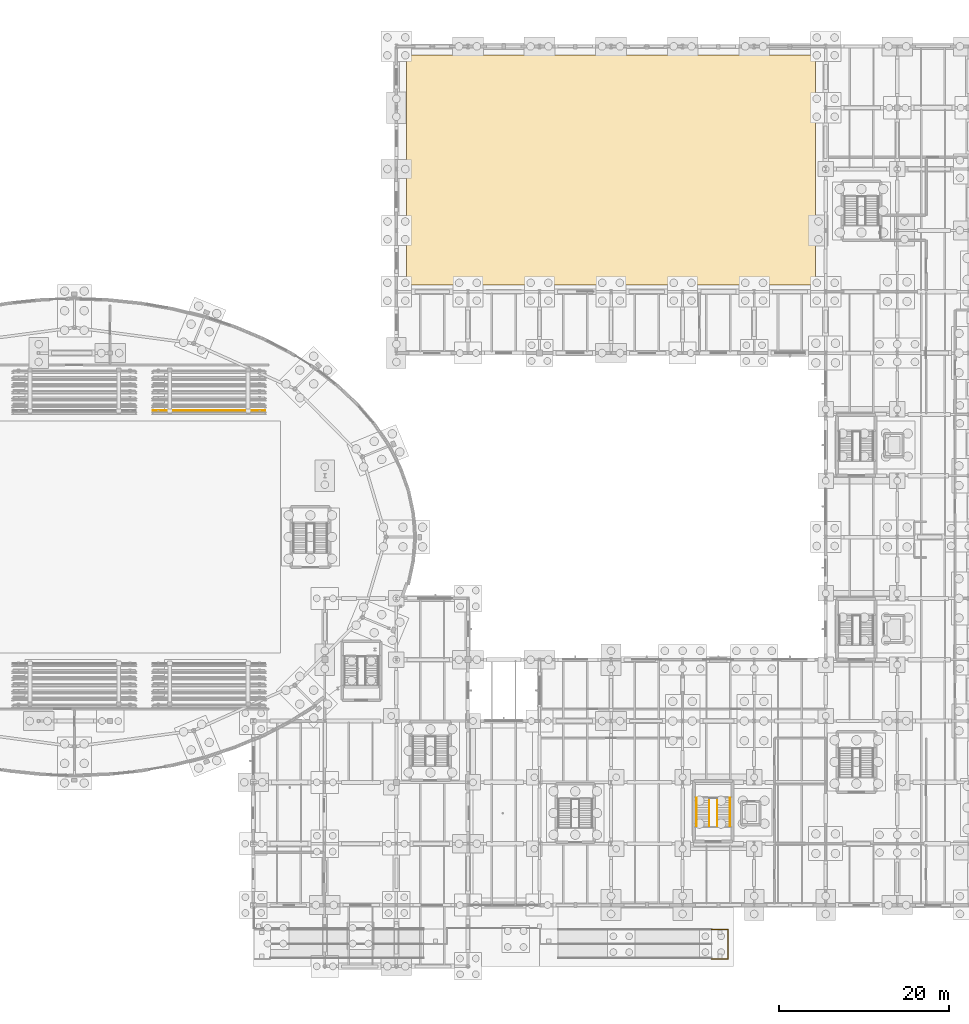
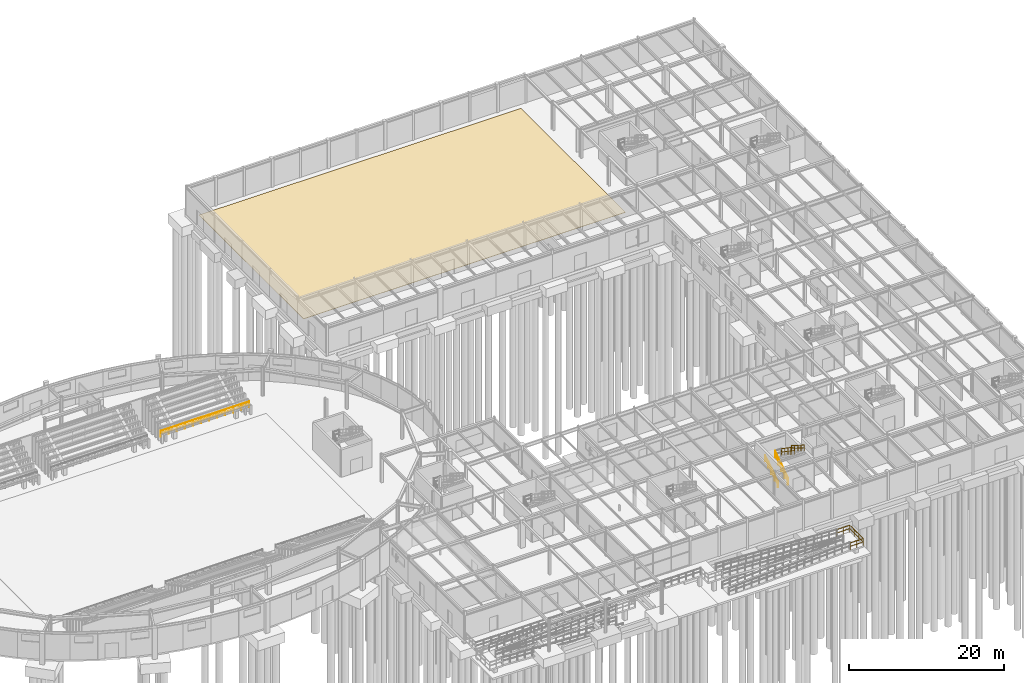
# One storey, part 86 of 93: 6 railings, 1 covering.
"""IFC4 building model written with IfcOpenShell, lengths in metres."""

from ifc_helpers import new_model, si_unit, derived_unit, direction, frame, origin, origin_2d, place, context, subcontext, project, spatial, polyline, circle, outline, extrude, material, layer, layer_set, type_object, element, save


model = new_model("IFC4")

# Units and contexts
model_context = context("Model", 3, precision=1e-05, world=origin(), true_north=direction((0.0, 1.0)))
body_context = subcontext(model_context, "Body", "Model", "MODEL_VIEW")
ifc_project = project(units=[si_unit("LENGTHUNIT", "METRE"), si_unit("AREAUNIT", "SQUARE_METRE"), si_unit("VOLUMEUNIT", "CUBIC_METRE"), si_unit("PLANEANGLEUNIT", "RADIAN"), si_unit("MASSUNIT", "GRAM", prefix="KILO"), derived_unit("THERMALTRANSMITTANCEUNIT", [(si_unit("MASSUNIT", "GRAM", prefix="KILO"), 1), (si_unit("TIMEUNIT", "SECOND"), -3), (si_unit("THERMODYNAMICTEMPERATUREUNIT", "KELVIN"), -1)])], contexts=[model_context])

# Site, building, storey
site_placement = place(None, origin())
site = spatial("IfcSite", under=ifc_project, at=site_placement, CompositionType="ELEMENT")
building_placement = place(site_placement, origin())
building = spatial("IfcBuilding", under=site, at=building_placement, Name="Kharveza Railside Sports Centre", CompositionType="ELEMENT")
storey_placement = place(building_placement, origin())
storey = spatial("IfcBuildingStorey", under=building, at=storey_placement, Name="L00", CompositionType="ELEMENT", Elevation=0.0)

# Covering
ifc_material_1 = material(Name="Sprung maple sports flooring")
ifc_layer = layer(ifc_material_1, 0.044921875, Name="Sprung maple sports flooring")
ifc_layer_set = layer_set([ifc_layer], Name="Sprung maple sports flooring")
covering_type = type_object("IfcCoveringType", Name="CV-FL01", PredefinedType="FLOORING", material=ifc_layer_set)
covering_placement = place(storey_placement, origin())
element("IfcCovering", 1, at=covering_placement, inside=storey, type_object=covering_type, Name="COV-FL-COURT2", PredefinedType="FLOORING", context=body_context, shape_type="SweptSolid", body=[
    extrude(outline(polyline([(93.60009765625, 107.0), (141.60009765625, 107.0), (141.60009765625, 80.0), (93.60009765625, 80.0), (93.60009765625, 107.0)])), origin(), (0.0, 0.0, 1.0), 0.044921875),
])

# Railings
ifc_material_2 = material(Name="Steel S275JR", Category="steel")
railing_type_1 = type_object("IfcRailingType", Name="RL-GD090", PredefinedType="GUARDRAIL", material=ifc_material_2)
railing_1_placement = place(storey_placement, frame((63.800048828125, 65.25, 0.89990234375)))
element("IfcRailing", 2, at=railing_1_placement, inside=storey, type_object=railing_type_1, Name="RL-BOWL-FN-3", PredefinedType="GUARDRAIL", context=body_context, shape_type="SweptSolid", body=[
    extrude(circle(Radius=0.02392578125, at=origin_2d()), frame((0.0, 0.0, 0.8759765625), z_axis=(1.0, 0.0, 0.0), x_axis=(0.0, 1.0, 0.0)), (0.0, 0.0, 1.0), 13.199951171875),
    extrude(circle(Radius=0.01611328125, at=origin_2d()), frame((0.0, 0.0, 0.449951171875), z_axis=(1.0, 0.0, 0.0), x_axis=(0.0, 1.0, 0.0)), (0.0, 0.0, 1.0), 13.199951171875),
    extrude(circle(Radius=0.02099609375, at=origin_2d()), origin(), (0.0, 0.0, 1.0), 0.851806640625),
    extrude(circle(Radius=0.02099609375, at=origin_2d()), frame((1.199951171875, 0.0, 0.0)), (0.0, 0.0, 1.0), 0.851806640625),
    extrude(circle(Radius=0.02099609375, at=origin_2d()), frame((2.39990234375, 0.0, 0.0)), (0.0, 0.0, 1.0), 0.851806640625),
    extrude(circle(Radius=0.02099609375, at=origin_2d()), frame((3.60009765625, 0.0, 0.0)), (0.0, 0.0, 1.0), 0.851806640625),
    extrude(circle(Radius=0.02099609375, at=origin_2d()), frame((4.800048828125, 0.0, 0.0)), (0.0, 0.0, 1.0), 0.851806640625),
    extrude(circle(Radius=0.02099609375, at=origin_2d()), frame((6.0, 0.0, 0.0)), (0.0, 0.0, 1.0), 0.851806640625),
    extrude(circle(Radius=0.02099609375, at=origin_2d()), frame((7.199951171875, 0.0, 0.0)), (0.0, 0.0, 1.0), 0.851806640625),
    extrude(circle(Radius=0.02099609375, at=origin_2d()), frame((8.39990234375, 0.0, 0.0)), (0.0, 0.0, 1.0), 0.851806640625),
    extrude(circle(Radius=0.02099609375, at=origin_2d()), frame((9.599853515625, 0.0, 0.0)), (0.0, 0.0, 1.0), 0.851806640625),
    extrude(circle(Radius=0.02099609375, at=origin_2d()), frame((10.800048828125, 0.0, 0.0)), (0.0, 0.0, 1.0), 0.851806640625),
    extrude(circle(Radius=0.02099609375, at=origin_2d()), frame((12.0, 0.0, 0.0)), (0.0, 0.0, 1.0), 0.851806640625),
    extrude(circle(Radius=0.02099609375, at=origin_2d()), frame((13.199951171875, 0.0, 0.0)), (0.0, 0.0, 1.0), 0.851806640625),
])
railing_type_2 = type_object("IfcRailingType", Name="RL-GD110", PredefinedType="GUARDRAIL", material=ifc_material_2)
railing_2_placement = place(storey_placement, frame((129.39990234375, 0.860107421875, -0.89990234375)))
element("IfcRailing", 3, at=railing_2_placement, inside=storey, type_object=railing_type_2, Name="RL-RMP-EXT-E-LND1", PredefinedType="GUARDRAIL", context=body_context, shape_type="SweptSolid", body=[
    extrude(circle(Radius=0.02392578125, at=origin_2d()), frame((0.0, 0.0, 1.09619140625), z_axis=(1.0, 0.0, 0.0), x_axis=(0.0, 1.0, 0.0)), (0.0, 0.0, 1.0), 1.940185546875),
    extrude(circle(Radius=0.01611328125, at=origin_2d()), frame((0.0, 0.0, 0.56005859375), z_axis=(1.0, 0.0, 0.0), x_axis=(0.0, 1.0, 0.0)), (0.0, 0.0, 1.0), 1.940185546875),
    extrude(circle(Radius=0.02392578125, at=origin_2d()), frame((1.940185546875, 0.0, 1.09619140625), z_axis=(0.0, 1.0, 0.0), x_axis=(-1.0, 0.0, 0.0)), (0.0, 0.0, 1.0), 3.47998046875),
    extrude(circle(Radius=0.01611328125, at=origin_2d()), frame((1.940185546875, 0.0, 0.56005859375), z_axis=(0.0, 1.0, 0.0), x_axis=(-1.0, 0.0, 0.0)), (0.0, 0.0, 1.0), 3.47998046875),
    extrude(circle(Radius=0.02392578125, at=origin_2d()), frame((1.940185546875, 3.47998046875, 1.09619140625), z_axis=(-1.0, 0.0, 0.0), x_axis=(0.0, -1.0, 0.0)), (0.0, 0.0, 1.0), 1.940185546875),
    extrude(circle(Radius=0.01611328125, at=origin_2d()), frame((1.940185546875, 3.47998046875, 0.56005859375), z_axis=(-1.0, 0.0, 0.0), x_axis=(0.0, -1.0, 0.0)), (0.0, 0.0, 1.0), 1.940185546875),
    extrude(circle(Radius=0.02099609375, at=origin_2d()), origin(), (0.0, 0.0, 1.0), 1.072021484375),
    extrude(circle(Radius=0.02099609375, at=origin_2d()), frame((0.97021484375, 0.0, 0.0)), (0.0, 0.0, 1.0), 1.072021484375),
    extrude(circle(Radius=0.02099609375, at=origin_2d()), frame((1.940185546875, 0.0, 0.0)), (0.0, 0.0, 1.0), 1.072021484375),
    extrude(circle(Radius=0.02099609375, at=origin_2d()), frame((1.940185546875, 1.159912109375, 0.0)), (0.0, 0.0, 1.0), 1.072021484375),
    extrude(circle(Radius=0.02099609375, at=origin_2d()), frame((1.940185546875, 2.320068359375, 0.0)), (0.0, 0.0, 1.0), 1.072021484375),
    extrude(circle(Radius=0.02099609375, at=origin_2d()), frame((1.940185546875, 3.47998046875, 0.0)), (0.0, 0.0, 1.0), 1.072021484375),
    extrude(circle(Radius=0.02099609375, at=origin_2d()), frame((0.97021484375, 3.47998046875, 0.0)), (0.0, 0.0, 1.0), 1.072021484375),
    extrude(circle(Radius=0.02099609375, at=origin_2d()), frame((0.0, 3.47998046875, 0.0)), (0.0, 0.0, 1.0), 1.072021484375),
])
railing_3_placement = place(storey_placement, frame((129.1298828125, 16.4599609375, 0.0)))
element("IfcRailing", 4, at=railing_3_placement, inside=storey, type_object=railing_type_2, Name="STR-ST3-L00-GD1", PredefinedType="GUARDRAIL", context=body_context, shape_type="SweptSolid", body=[
    extrude(circle(Radius=0.02392578125, at=origin_2d()), frame((0.0, 0.0, 1.09619140625), z_axis=(0.0, 0.826231222393, 0.56333113454), x_axis=(-1.0, 0.0, 0.0)), (0.0, 0.0, 1.0), 3.994140625),
    extrude(circle(Radius=0.01611328125, at=origin_2d()), frame((0.0, 0.0, 0.56005859375), z_axis=(0.0, 0.826231222393, 0.56333113454), x_axis=(-1.0, 0.0, 0.0)), (0.0, 0.0, 1.0), 3.994140625),
    extrude(circle(Radius=0.02099609375, at=origin_2d()), origin(), (0.0, 0.0, 1.0), 1.072021484375),
    extrude(circle(Radius=0.02099609375, at=origin_2d()), frame((0.0, 0.824951171875, 0.5625)), (0.0, 0.0, 1.0), 1.072021484375),
    extrude(circle(Radius=0.02099609375, at=origin_2d()), frame((0.0, 1.64990234375, 1.125)), (0.0, 0.0, 1.0), 1.072021484375),
    extrude(circle(Radius=0.02099609375, at=origin_2d()), frame((0.0, 2.47509765625, 1.6875)), (0.0, 0.0, 1.0), 1.072021484375),
    extrude(circle(Radius=0.02099609375, at=origin_2d()), frame((0.0, 3.300048828125, 2.25)), (0.0, 0.0, 1.0), 1.072021484375),
])
railing_4_placement = place(storey_placement, frame((130.070068359375, 19.760009765625, 2.25)))
element("IfcRailing", 5, at=railing_4_placement, inside=storey, type_object=railing_type_2, Name="STR-ST3-L00-GD2", PredefinedType="GUARDRAIL", context=body_context, shape_type="SweptSolid", body=[
    extrude(circle(Radius=0.02392578125, at=origin_2d()), frame((0.0, 0.0, 1.09619140625), z_axis=(0.0, -0.826231222393, 0.56333113454), x_axis=(1.0, 0.0, 0.0)), (0.0, 0.0, 1.0), 3.994140625),
    extrude(circle(Radius=0.01611328125, at=origin_2d()), frame((0.0, 0.0, 0.56005859375), z_axis=(0.0, -0.826231222393, 0.56333113454), x_axis=(1.0, 0.0, 0.0)), (0.0, 0.0, 1.0), 3.994140625),
    extrude(circle(Radius=0.02099609375, at=origin_2d()), origin(), (0.0, 0.0, 1.0), 1.072021484375),
    extrude(circle(Radius=0.02099609375, at=origin_2d()), frame((0.0, -0.824951171875, 0.5625)), (0.0, 0.0, 1.0), 1.072021484375),
    extrude(circle(Radius=0.02099609375, at=origin_2d()), frame((0.0, -1.64990234375, 1.125)), (0.0, 0.0, 1.0), 1.072021484375),
    extrude(circle(Radius=0.02099609375, at=origin_2d()), frame((0.0, -2.47509765625, 1.6875)), (0.0, 0.0, 1.0), 1.072021484375),
    extrude(circle(Radius=0.02099609375, at=origin_2d()), frame((0.0, -3.300048828125, 2.25)), (0.0, 0.0, 1.0), 1.072021484375),
])
railing_type_3 = type_object("IfcRailingType", Name="RL-HR092", PredefinedType="HANDRAIL", material=ifc_material_2)
railing_5_placement = place(storey_placement, frame((127.639892578125, 16.4599609375, 0.173095703125)))
element("IfcRailing", 6, at=railing_5_placement, inside=storey, type_object=railing_type_3, Name="STR-ST3-L00-HR1", PredefinedType="HANDRAIL", context=body_context, shape_type="SweptSolid", body=[
    extrude(circle(Radius=0.02392578125, at=origin_2d()), frame((0.0, 0.0, 0.89599609375), z_axis=(0.0, 0.846337383501, 0.532647194011), x_axis=(-1.0, 0.0, 0.0)), (0.0, 0.0, 1.0), 3.899169921875),
    extrude(circle(Radius=0.01611328125, at=origin_2d()), frame((0.0, 0.0, 0.4599609375), z_axis=(0.0, 0.846337383501, 0.532647194011), x_axis=(-1.0, 0.0, 0.0)), (0.0, 0.0, 1.0), 3.899169921875),
    extrude(circle(Radius=0.02099609375, at=origin_2d()), origin(), (0.0, 0.0, 1.0), 0.871826171875),
    extrude(circle(Radius=0.02099609375, at=origin_2d()), frame((0.0, 0.824951171875, 0.519287109375)), (0.0, 0.0, 1.0), 0.871826171875),
    extrude(circle(Radius=0.02099609375, at=origin_2d()), frame((0.0, 1.64990234375, 1.03857421875)), (0.0, 0.0, 1.0), 0.871826171875),
    extrude(circle(Radius=0.02099609375, at=origin_2d()), frame((0.0, 2.47509765625, 1.5576171875)), (0.0, 0.0, 1.0), 0.871826171875),
    extrude(circle(Radius=0.02099609375, at=origin_2d()), frame((0.0, 3.300048828125, 2.076904296875)), (0.0, 0.0, 1.0), 0.871826171875),
])
railing_6_placement = place(storey_placement, frame((131.56005859375, 19.760009765625, 2.423095703125)))
element("IfcRailing", 7, at=railing_6_placement, inside=storey, type_object=railing_type_3, Name="STR-ST3-L00-HR2", PredefinedType="HANDRAIL", context=body_context, shape_type="SweptSolid", body=[
    extrude(circle(Radius=0.02392578125, at=origin_2d()), frame((0.0, 0.0, 0.89599609375), z_axis=(0.0, -0.846337383501, 0.532647194011), x_axis=(1.0, 0.0, 0.0)), (0.0, 0.0, 1.0), 3.899169921875),
    extrude(circle(Radius=0.01611328125, at=origin_2d()), frame((0.0, 0.0, 0.4599609375), z_axis=(0.0, -0.846337383501, 0.532647194011), x_axis=(1.0, 0.0, 0.0)), (0.0, 0.0, 1.0), 3.899169921875),
    extrude(circle(Radius=0.02099609375, at=origin_2d()), origin(), (0.0, 0.0, 1.0), 0.871826171875),
    extrude(circle(Radius=0.02099609375, at=origin_2d()), frame((0.0, -0.824951171875, 0.519287109375)), (0.0, 0.0, 1.0), 0.871826171875),
    extrude(circle(Radius=0.02099609375, at=origin_2d()), frame((0.0, -1.64990234375, 1.03857421875)), (0.0, 0.0, 1.0), 0.871826171875),
    extrude(circle(Radius=0.02099609375, at=origin_2d()), frame((0.0, -2.47509765625, 1.5576171875)), (0.0, 0.0, 1.0), 0.871826171875),
    extrude(circle(Radius=0.02099609375, at=origin_2d()), frame((0.0, -3.300048828125, 2.076904296875)), (0.0, 0.0, 1.0), 0.871826171875),
])

save(model, "model.ifc")
